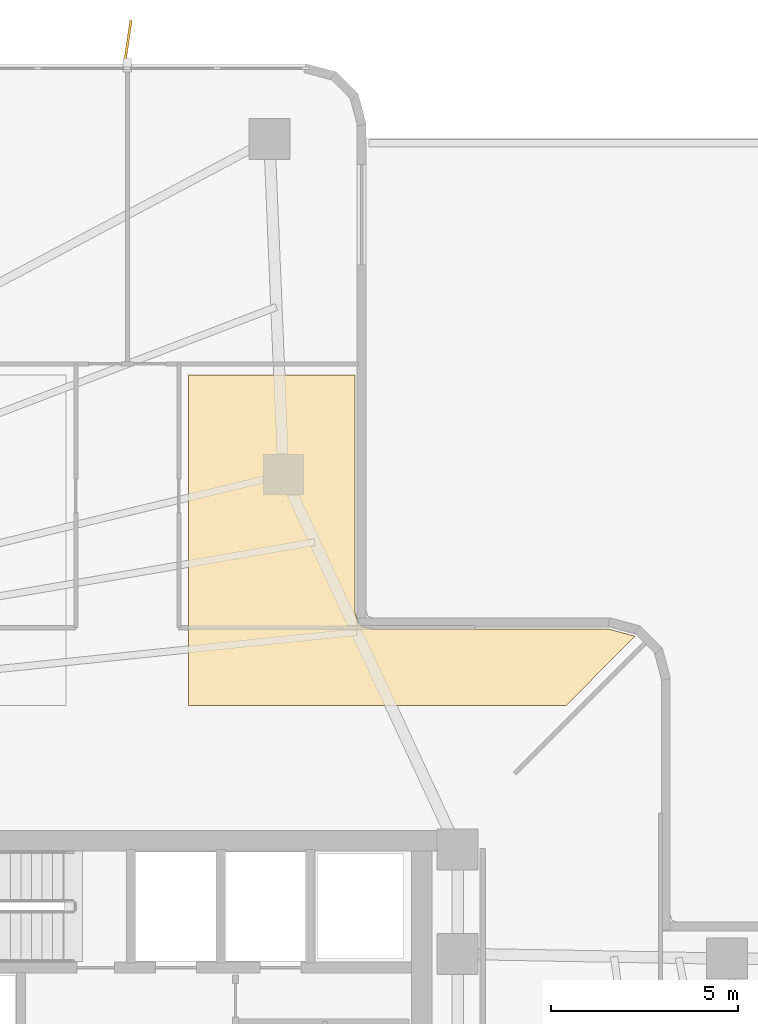
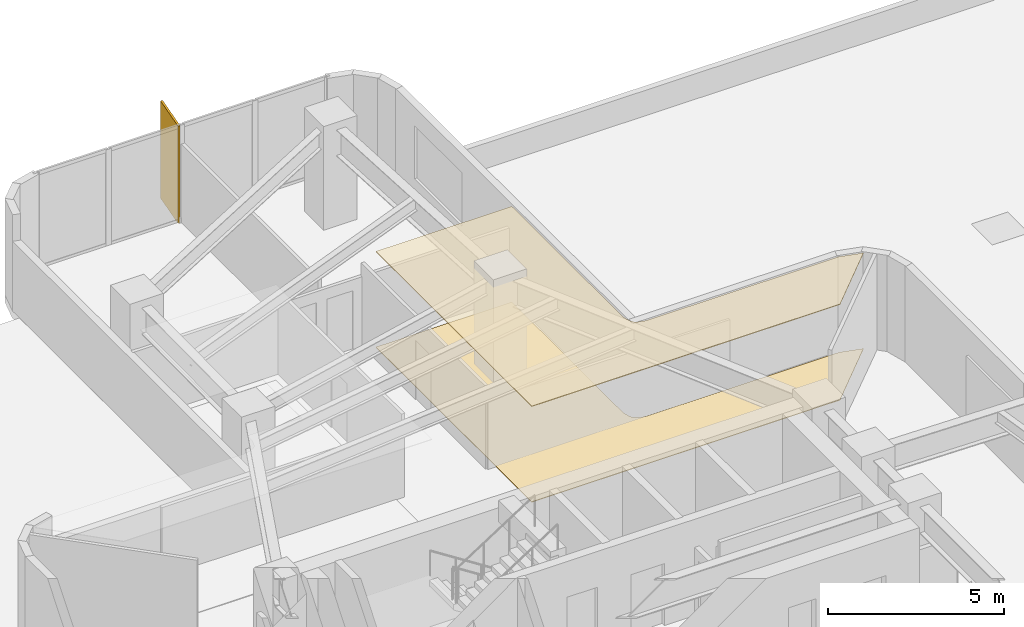
# One storey, part 14 of 14: 2 coverings, 1 shading device.
"""IFC4 building model written with IfcOpenShell, lengths in metres."""

from ifc_helpers import new_model, si_unit, direction, frame, origin, origin_2d, place, context, subcontext, project, spatial, polyline, rectangle, outline, extrude, material, layer, layer_set, type_object, element, save


model = new_model("IFC4")

# Units and contexts
model_context = context("Model", 3, precision=1e-05, world=origin(), true_north=direction((0.0, 1.0)))
body_context = subcontext(model_context, "Body", "Model", "MODEL_VIEW")
ifc_project = project(units=[si_unit("LENGTHUNIT", "METRE"), si_unit("AREAUNIT", "SQUARE_METRE"), si_unit("VOLUMEUNIT", "CUBIC_METRE"), si_unit("PLANEANGLEUNIT", "RADIAN"), si_unit("MASSUNIT", "GRAM", prefix="KILO")], contexts=[model_context])

# Site, building, storey
site_placement = place(None, origin())
site = spatial("IfcSite", under=ifc_project, at=site_placement, CompositionType="ELEMENT")
building_placement = place(site_placement, origin())
building = spatial("IfcBuilding", under=site, at=building_placement, Name="Solmarez Civic Tower", CompositionType="ELEMENT")
storey_placement = place(building_placement, frame((0.0, 0.0, 24.47998046875)))
storey = spatial("IfcBuildingStorey", under=building, at=storey_placement, Name="L05", CompositionType="ELEMENT", Elevation=24.47998046875)

# Coverings
ifc_material_1 = material(Name="Perforated Mineral-Fibre Acoustic Ceiling")
ifc_layer_1 = layer(ifc_material_1, 0.02490234375)
ifc_layer_set_1 = layer_set([ifc_layer_1], Name="Perforated Mineral-Fibre Acoustic Ceiling")
covering_type_1 = type_object("IfcCoveringType", Name="COV-CEIL-ACOUSTIC", PredefinedType="CEILING", material=ifc_layer_set_1)
covering_1_placement = place(storey_placement, frame((0.0, 0.0, 3.31494140625)))
element("IfcCovering", 1, at=covering_1_placement, inside=storey, type_object=covering_type_1, Name="L05 Suspended Acoustic Ceiling 2", PredefinedType="CEILING", context=body_context, shape_type="SweptSolid", body=[
    extrude(outline(polyline([(1.639892578125, 12.199951171875), (11.758056640625, 12.199951171875), (13.60009765625, 14.06201171875), (13.594970703125, 14.06689453125), (12.909912109375, 14.25), (6.60400390625, 14.25), (6.572998046875, 14.251953125), (6.56591796875, 14.2529296875), (6.537109375, 14.259033203125), (6.531982421875, 14.260986328125), (6.367919921875, 14.303955078125), (6.3369140625, 14.31494140625), (6.330078125, 14.318115234375), (6.322998046875, 14.321044921875), (6.31591796875, 14.323974609375), (6.298095703125, 14.3330078125), (6.281005859375, 14.343017578125), (6.27490234375, 14.346923828125), (6.256103515625, 14.361083984375), (6.25, 14.365966796875), (6.235107421875, 14.37890625), (6.22900390625, 14.385009765625), (6.216064453125, 14.39990234375), (6.2109375, 14.406005859375), (6.197021484375, 14.425048828125), (6.193115234375, 14.430908203125), (6.18310546875, 14.447998046875), (6.174072265625, 14.466064453125), (6.1650390625, 14.487060546875), (6.154052734375, 14.51806640625), (6.111083984375, 14.681884765625), (6.10888671875, 14.68701171875), (6.10302734375, 14.716064453125), (6.10205078125, 14.722900390625), (6.10009765625, 14.75390625), (6.10009765625, 21.06005859375), (1.639892578125, 21.06005859375), (1.639892578125, 12.199951171875)])), origin(), (0.0, 0.0, 1.0), 0.025146484375),
])
ifc_material_2 = material(Name="Polished Tropical Stone Terrazzo Flooring", Category="masonry")
ifc_layer_2 = layer(ifc_material_2, 0.02001953125)
ifc_layer_set_2 = layer_set([ifc_layer_2], Name="Polished Tropical Stone Terrazzo Flooring")
covering_type_2 = type_object("IfcCoveringType", Name="COV-FLOOR-TERRAZZO", PredefinedType="FLOORING", material=ifc_layer_set_2)
covering_2_placement = place(storey_placement, origin())
element("IfcCovering", 2, at=covering_2_placement, inside=storey, type_object=covering_type_2, Name="L05 Terrazzo Floor Finish 2", PredefinedType="FLOORING", context=body_context, shape_type="SweptSolid", body=[
    extrude(outline(polyline([(1.639892578125, 12.199951171875), (11.758056640625, 12.199951171875), (13.60009765625, 14.06201171875), (13.594970703125, 14.06689453125), (12.909912109375, 14.25), (6.60400390625, 14.25), (6.572998046875, 14.251953125), (6.56591796875, 14.2529296875), (6.537109375, 14.259033203125), (6.531982421875, 14.260986328125), (6.367919921875, 14.303955078125), (6.3369140625, 14.31494140625), (6.330078125, 14.318115234375), (6.322998046875, 14.321044921875), (6.31591796875, 14.323974609375), (6.298095703125, 14.3330078125), (6.281005859375, 14.343017578125), (6.27490234375, 14.346923828125), (6.256103515625, 14.361083984375), (6.25, 14.365966796875), (6.235107421875, 14.37890625), (6.22900390625, 14.385009765625), (6.216064453125, 14.39990234375), (6.2109375, 14.406005859375), (6.197021484375, 14.425048828125), (6.193115234375, 14.430908203125), (6.18310546875, 14.447998046875), (6.174072265625, 14.466064453125), (6.1650390625, 14.487060546875), (6.154052734375, 14.51806640625), (6.111083984375, 14.681884765625), (6.10888671875, 14.68701171875), (6.10302734375, 14.716064453125), (6.10205078125, 14.722900390625), (6.10009765625, 14.75390625), (6.10009765625, 21.06005859375), (1.639892578125, 21.06005859375), (1.639892578125, 12.199951171875)])), origin(), (0.0, 0.0, 1.0), 0.02001953125),
])

# Shading device
ifc_material_3 = material(Name="Bronze Anodised Aluminium EN AW-6063 T6", Category="aluminium")
ifc_layer_3 = layer(ifc_material_3, 0.06494140625)
ifc_layer_set_3 = layer_set([ifc_layer_3], Name="Bronze Anodised Aluminium EN AW-6063 T6")
shading_device_type = type_object("IfcShadingDeviceType", Name="FIN-BRONZE-Z12", PredefinedType="USERDEFINED", material=ifc_layer_set_3)
shading_device_placement = place(storey_placement, frame((0.0, 29.905029296875, -0.0400390625), z_axis=(0.0, 0.0, 1.0), x_axis=(0.146083028562, 0.989272332963, 0.0)))
element("IfcShadingDevice", 3, at=shading_device_placement, inside=storey, type_object=shading_device_type, Name="L05 Anodised Bronze Solar Fin FIN-L05-04", ObjectType="FIN", PredefinedType="USERDEFINED", context=body_context, shape_type="SweptSolid", body=[
    extrude(rectangle(XDim=1.35009765625, YDim=0.06494140625, at=origin_2d()), origin(), (0.0, 0.0, 1.0), 3.3798828125),
])

save(model, "model.ifc")
